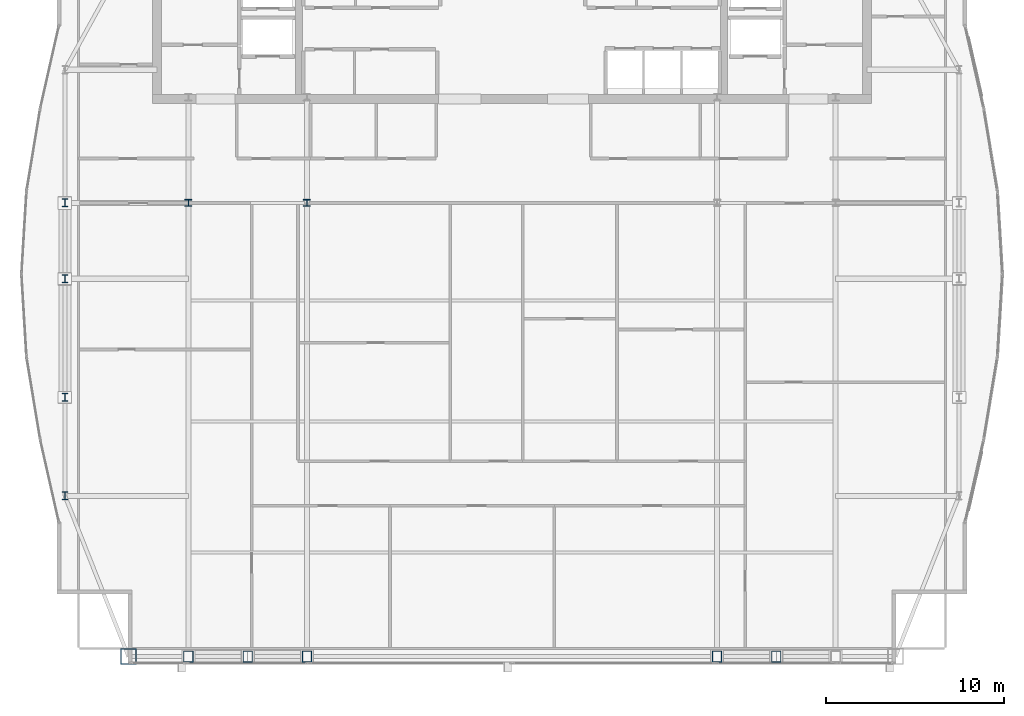
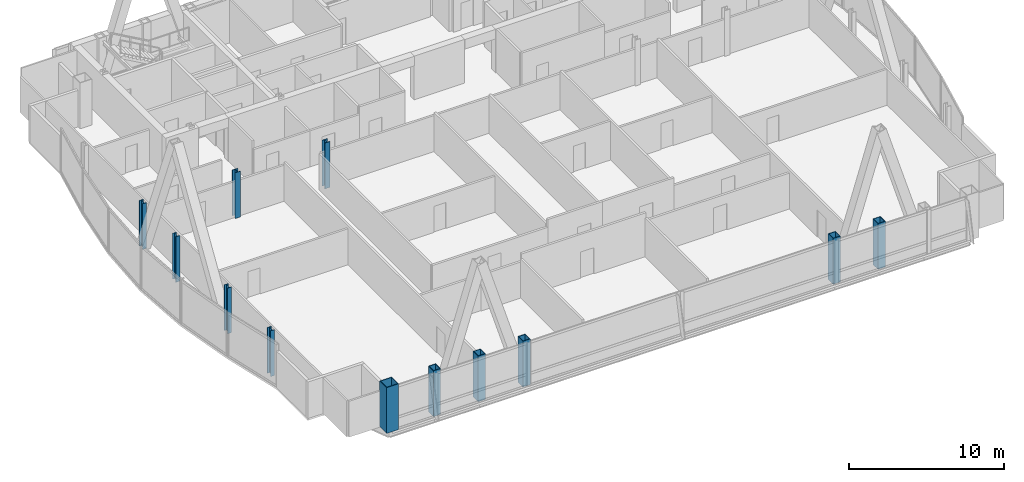
# One storey, part 1 of 31: 12 columns.
"""IFC4 building model written with IfcOpenShell, lengths in metres."""

from ifc_helpers import new_model, si_unit, direction, frame, origin, origin_2d, place, context, subcontext, project, spatial, hollow_rectangle, i_section, extrude, material, material_profile, profile_set, type_object, element, save


model = new_model("IFC4")

# Units and contexts
model_context = context("Model", 3, precision=1e-05, world=origin(), true_north=direction((0.0, 1.0)))
body_context = subcontext(model_context, "Body", "Model", "MODEL_VIEW")
ifc_project = project(units=[si_unit("LENGTHUNIT", "METRE"), si_unit("AREAUNIT", "SQUARE_METRE"), si_unit("VOLUMEUNIT", "CUBIC_METRE"), si_unit("PLANEANGLEUNIT", "RADIAN"), si_unit("MASSUNIT", "GRAM", prefix="KILO")], contexts=[model_context])

# Site, building, storey
site_placement = place(None, origin())
site = spatial("IfcSite", under=ifc_project, at=site_placement, CompositionType="ELEMENT")
building_placement = place(site_placement, origin())
building = spatial("IfcBuilding", under=site, at=building_placement, Name="Khoronbel Lancet Exchange", CompositionType="ELEMENT")
storey_placement = place(building_placement, frame((0.0, 0.0, 325.39990234375)))
storey = spatial("IfcBuildingStorey", under=building, at=storey_placement, Name="L84", CompositionType="ELEMENT", Elevation=325.39990234375)

# Columns
ifc_material_1 = material(Name="Steel S460", Category="steel")
ifc_material_profile_1 = material_profile(ifc_material_1, hollow_rectangle(XDim=0.550048828125, YDim=0.64990234375, WallThickness=0.0400390625, at=origin_2d()), Name="BOX 650x550x40")
ifc_profile_set_1 = profile_set([ifc_material_profile_1], Name="Steel S460")
column_type_1 = type_object("IfcColumnType", Name="COL-EC4", PredefinedType="COLUMN", material=ifc_profile_set_1)
for number, where, z_axis, x_axis, name in (
    (1, (18.22509765625, 10.14990234375, 0.0), (0.0, 0.0, 1.0), (1.0, 0.0, 0.0), "Structural column SC-W1 L84"),
    (2, (21.5625, 10.14990234375, 0.0), (0.0, 0.0, 1.0), (1.0, 0.0, 0.0), "Structural column SC-WM L84"),
    (3, (24.89990234375, 10.14990234375, 0.0), (0.0, 0.0, 1.0), (1.0, 0.0, 0.0), "Structural column SC-W2 L84"),
    (4, (48.0, 10.14990234375, 0.0), (0.0, 0.0, 1.0), (1.0, 0.0, 0.0), "Structural column SC-E1 L84"),
    (5, (51.33740234375, 10.14990234375, 0.0), (0.0, 0.0, 1.0), (1.0, 0.0, 0.0), "Structural column SC-EM L84"),
):
    element("IfcColumn", number, at=place(storey_placement, frame(where, z_axis=z_axis, x_axis=x_axis)), inside=storey, type_object=column_type_1, Name=name, PredefinedType="COLUMN", context=body_context, shape_type="SweptSolid", body=[
        extrude(hollow_rectangle(XDim=0.550048828125, YDim=0.64990234375, WallThickness=0.0400390625, at=origin_2d()), origin(), (0.0, 0.0, 1.0), 3.60009765625),
    ])
ifc_material_2 = material(Name="Steel S355", Category="steel")
ifc_material_profile_2 = material_profile(ifc_material_2, i_section(OverallWidth=0.39892578125, OverallDepth=0.39306640625, WebThickness=0.022705078125, FlangeThickness=0.03662109375, at=origin_2d()), Name="HD 400x287")
ifc_profile_set_2 = profile_set([ifc_material_profile_2], Name="Steel S355")
column_type_2 = type_object("IfcColumnType", Name="COL-IC4", PredefinedType="COLUMN", material=ifc_profile_set_2)
for number, where, z_axis, x_axis, name in (
    (6, (18.22509765625, 35.699951171875, 0.0), (0.0, 0.0, 1.0), (1.0, 0.0, 0.0), "Spine gravity column TC1 L84"),
    (7, (24.89990234375, 35.699951171875, 0.0), (0.0, 0.0, 1.0), (1.0, 0.0, 0.0), "Spine gravity column TC2 L84"),
):
    element("IfcColumn", number, at=place(storey_placement, frame(where, z_axis=z_axis, x_axis=x_axis)), inside=storey, type_object=column_type_2, Name=name, PredefinedType="COLUMN", context=body_context, shape_type="SweptSolid", body=[
        extrude(i_section(OverallWidth=0.39892578125, OverallDepth=0.39306640625, WebThickness=0.022705078125, FlangeThickness=0.03662109375, at=origin_2d()), origin(), (0.0, 0.0, 1.0), 3.60009765625),
    ])
ifc_material_profile_3 = material_profile(ifc_material_2, i_section(OverallWidth=0.300048828125, OverallDepth=0.449951171875, WebThickness=0.013916015625, FlangeThickness=0.02587890625, at=origin_2d()), Name="HEB 450")
ifc_profile_set_3 = profile_set([ifc_material_profile_3], Name="Steel S355")
column_type_3 = type_object("IfcColumnType", Name="COL-LC2", PredefinedType="COLUMN", material=ifc_profile_set_3)
for number, where, z_axis, x_axis, name in (
    (8, (11.27001953125, 19.199951171875, 0.0), (0.0, 0.0, 1.0), (1.0, 0.0, 0.0), "Structural column WC-1 L84"),
    (9, (11.27001953125, 24.75, 0.0), (0.0, 0.0, 1.0), (1.0, 0.0, 0.0), "Structural column WC-2 L84"),
    (10, (11.27001953125, 31.425048828125, 0.0), (0.0, 0.0, 1.0), (1.0, 0.0, 0.0), "Structural column WC-M L84"),
    (11, (11.27001953125, 35.699951171875, 0.0), (0.0, 0.0, 1.0), (1.0, 0.0, 0.0), "Structural column WC-3 L84"),
):
    element("IfcColumn", number, at=place(storey_placement, frame(where, z_axis=z_axis, x_axis=x_axis)), inside=storey, type_object=column_type_3, Name=name, PredefinedType="COLUMN", context=body_context, shape_type="SweptSolid", body=[
        extrude(i_section(OverallWidth=0.300048828125, OverallDepth=0.449951171875, WebThickness=0.013916015625, FlangeThickness=0.02587890625, at=origin_2d()), origin(), (0.0, 0.0, 1.0), 3.60009765625),
    ])
ifc_material_profile_4 = material_profile(ifc_material_1, hollow_rectangle(XDim=0.89990234375, YDim=0.89990234375, WallThickness=0.050048828125, at=origin_2d()), Name="BOX 900x900x50")
ifc_profile_set_4 = profile_set([ifc_material_profile_4], Name="Steel S460")
column_type_4 = type_object("IfcColumnType", Name="COL-MC7", PredefinedType="COLUMN", material=ifc_profile_set_4)
column_placement = place(storey_placement, frame((14.85009765625, 10.14990234375, 0.0), z_axis=(0.0, 0.0, 1.0), x_axis=(1.0, 0.0, 0.0)))
element("IfcColumn", 12, at=column_placement, inside=storey, type_object=column_type_4, Name="Structural column MC-SW L84", PredefinedType="COLUMN", context=body_context, shape_type="SweptSolid", body=[
    extrude(hollow_rectangle(XDim=0.89990234375, YDim=0.89990234375, WallThickness=0.050048828125, at=origin_2d()), origin(), (0.0, 0.0, 1.0), 3.60009765625),
])

save(model, "model.ifc")
